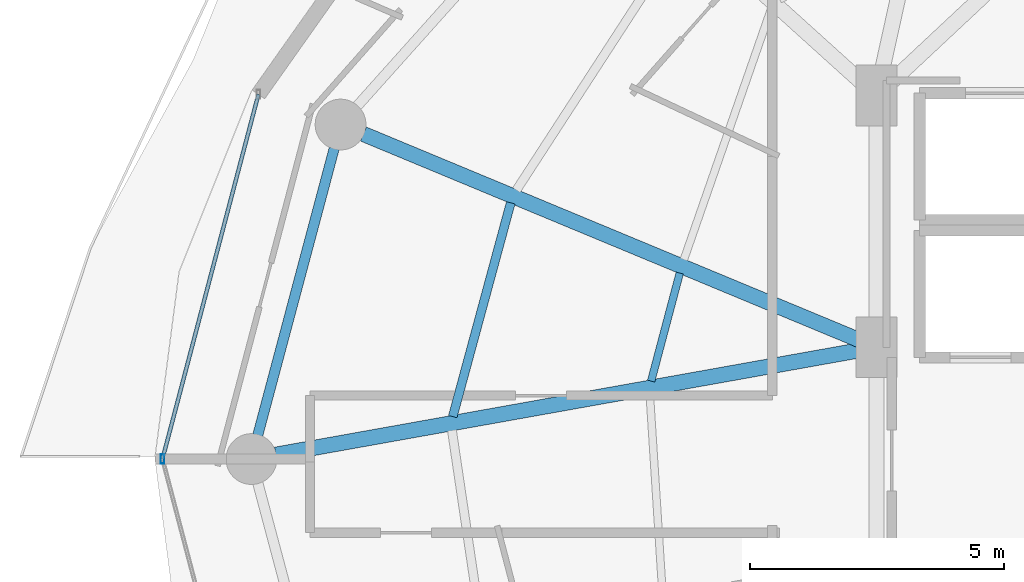
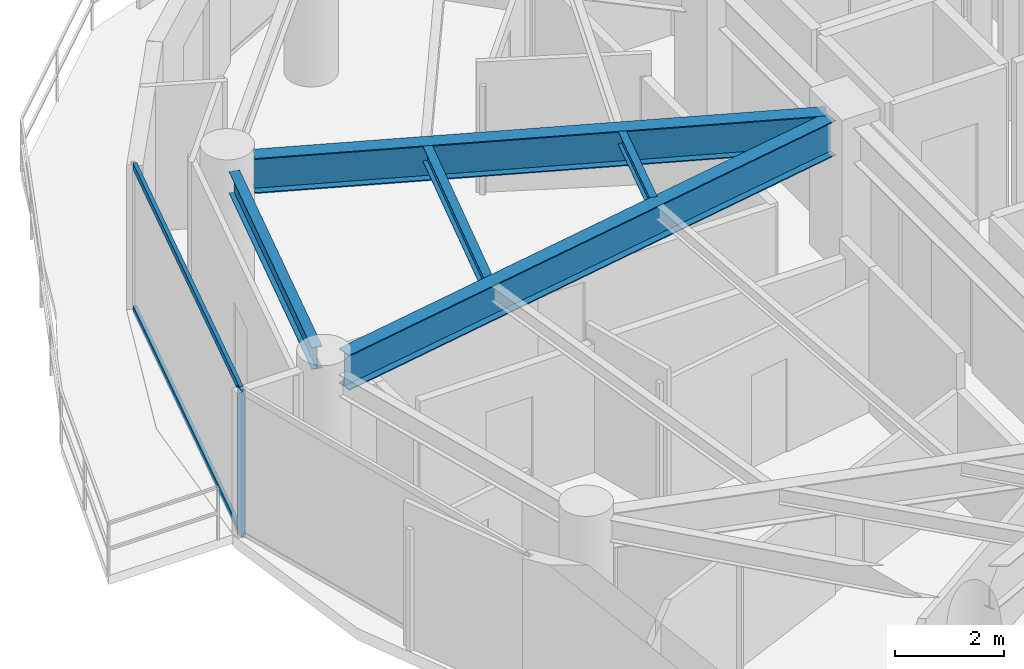
# One storey, part 8 of 31: 5 beams, 3 members, 1 element without a shape of its own.
"""IFC4 building model written with IfcOpenShell, lengths in metres."""

from ifc_helpers import new_model, si_unit, direction, frame, origin, origin_2d, place, context, subcontext, project, spatial, hollow_rectangle, i_section, extrude, material, material_profile, profile_set, type_object, element, aggregate, save


model = new_model("IFC4")

# Units and contexts
model_context = context("Model", 3, precision=1e-05, world=origin(), true_north=direction((0.0, 1.0)))
body_context = subcontext(model_context, "Body", "Model", "MODEL_VIEW")
ifc_project = project(units=[si_unit("LENGTHUNIT", "METRE"), si_unit("AREAUNIT", "SQUARE_METRE"), si_unit("VOLUMEUNIT", "CUBIC_METRE"), si_unit("PLANEANGLEUNIT", "RADIAN"), si_unit("MASSUNIT", "GRAM", prefix="KILO")], contexts=[model_context])

# Site, building, storey
site_placement = place(None, origin())
site = spatial("IfcSite", under=ifc_project, at=site_placement, CompositionType="ELEMENT")
building_placement = place(site_placement, origin())
building = spatial("IfcBuilding", under=site, at=building_placement, Name="Vorneva Point Tower", CompositionType="ELEMENT")
storey_placement = place(building_placement, frame((0.0, 0.0, 136.10009765625)))
storey = spatial("IfcBuildingStorey", under=building, at=storey_placement, Name="L36", CompositionType="ELEMENT", Elevation=136.10009765625)

# Beams
ifc_material_1 = material(Name="Steel S355", Category="steel")
ifc_material_profile_1 = material_profile(ifc_material_1, i_section(OverallWidth=0.300048828125, OverallDepth=0.7880859375, WebThickness=0.014404296875, FlangeThickness=0.02197265625, at=origin_2d()), Name="80Sh1")
ifc_profile_set_1 = profile_set([ifc_material_profile_1], Name="Steel S355")
beam_type_1 = type_object("IfcBeamType", Name="BM-GRD-80Sh1", PredefinedType="USERDEFINED", material=ifc_profile_set_1)
beam_1_placement = place(storey_placement, frame((17.1552734375, 32.39501953125, 2.845947265625), z_axis=(0.923440676596, -0.383741210723, 0.0), x_axis=(0.383741210723, 0.923440676596, 0.0)))
element("IfcBeam", 1, at=beam_1_placement, inside=storey, type_object=beam_type_1, Name="L36 Radial Primary Girder 08", ObjectType="GIRDER", PredefinedType="USERDEFINED", context=body_context, shape_type="SweptSolid", body=[
    extrude(i_section(OverallWidth=0.300048828125, OverallDepth=0.7880859375, WebThickness=0.014404296875, FlangeThickness=0.02197265625, at=origin_2d()), origin(), (0.0, 0.0, 1.0), 10.591552734375),
])
beam_2_placement = place(storey_placement, frame((15.430419921875, 26.0859375, 2.845947265625), z_axis=(0.984378132756, 0.176067293249, 0.0), x_axis=(-0.176067293249, 0.984378132756, 0.0)))
element("IfcBeam", 2, at=beam_2_placement, inside=storey, type_object=beam_type_1, Name="L36 Radial Primary Girder 09", ObjectType="GIRDER", PredefinedType="USERDEFINED", context=body_context, shape_type="SweptSolid", body=[
    extrude(i_section(OverallWidth=0.300048828125, OverallDepth=0.7880859375, WebThickness=0.014404296875, FlangeThickness=0.02197265625, at=origin_2d()), origin(), (0.0, 0.0, 1.0), 11.667236328125),
])
ifc_material_profile_2 = material_profile(ifc_material_1, i_section(OverallWidth=0.14892578125, OverallDepth=0.298095703125, WebThickness=0.005615234375, FlangeThickness=0.008056640625, at=origin_2d()), Name="30B1")
ifc_profile_set_2 = profile_set([ifc_material_profile_2], Name="Steel S355")
beam_type_2 = type_object("IfcBeamType", Name="BM-JST-30B1", PredefinedType="JOIST", material=ifc_profile_set_2)
beam_3_placement = place(storey_placement, frame((23.379638671875, 29.660400390625, 3.0908203125), z_axis=(-0.25614268373, -0.966638984095, 0.0), x_axis=(0.966638984095, -0.25614268373, 0.0)))
element("IfcBeam", 3, at=beam_3_placement, inside=storey, type_object=beam_type_2, Name="L36 Secondary Floor Beam 2.08", PredefinedType="JOIST", context=body_context, shape_type="SweptSolid", body=[
    extrude(i_section(OverallWidth=0.14892578125, OverallDepth=0.298095703125, WebThickness=0.005615234375, FlangeThickness=0.008056640625, at=origin_2d()), origin(), (0.0, 0.0, 1.0), 2.199951171875),
])
ifc_material_profile_3 = material_profile(ifc_material_1, i_section(OverallWidth=0.174072265625, OverallDepth=0.345947265625, WebThickness=0.006103515625, FlangeThickness=0.009033203125, at=origin_2d()), Name="35B1")
ifc_profile_set_3 = profile_set([ifc_material_profile_3], Name="Steel S355")
beam_type_3 = type_object("IfcBeamType", Name="BM-SEC-35B1", PredefinedType="BEAM", material=ifc_profile_set_3)
beam_4_placement = place(storey_placement, frame((20.05322265625, 31.04248046875, 3.06689453125), z_axis=(-0.261766569984, -0.965131215348, 0.0), x_axis=(0.965131215348, -0.261766569984, 0.0)))
element("IfcBeam", 4, at=beam_4_placement, inside=storey, type_object=beam_type_3, Name="L36 Secondary Floor Beam 1.08", PredefinedType="BEAM", context=body_context, shape_type="SweptSolid", body=[
    extrude(i_section(OverallWidth=0.174072265625, OverallDepth=0.345947265625, WebThickness=0.006103515625, FlangeThickness=0.009033203125, at=origin_2d()), origin(), (0.0, 0.0, 1.0), 4.359375),
])
ifc_material_profile_4 = material_profile(ifc_material_1, i_section(OverallWidth=0.199951171875, OverallDepth=0.491943359375, WebThickness=0.0087890625, FlangeThickness=0.011962890625, at=origin_2d()), Name="50B1")
ifc_profile_set_4 = profile_set([ifc_material_profile_4], Name="Steel S355")
beam_type_4 = type_object("IfcBeamType", Name="BM-SPN-50B1", PredefinedType="SPANDREL", material=ifc_profile_set_4)
beam_5_placement = place(storey_placement, frame((16.57958984375, 32.113525390625, 2.993896484375), z_axis=(-0.257550804648, -0.966264758245, 0.0), x_axis=(0.966264758245, -0.257550804648, 0.0)))
element("IfcBeam", 5, at=beam_5_placement, inside=storey, type_object=beam_type_4, Name="L36 Perimeter Spandrel Ring Beam 08", PredefinedType="SPANDREL", context=body_context, shape_type="SweptSolid", body=[
    extrude(i_section(OverallWidth=0.199951171875, OverallDepth=0.491943359375, WebThickness=0.0087890625, FlangeThickness=0.011962890625, at=origin_2d()), origin(), (0.0, 0.0, 1.0), 5.842041015625),
])

# Curtain wall, members
ifc_material_2 = material(Name="Pale anodised aluminium", Category="aluminium")
curtain_wall_type = type_object("IfcCurtainWallType", Name="CW-RES-SYS", PredefinedType="NOTDEFINED", material=ifc_material_2)
curtain_wall_placement = place(storey_placement, origin())
curtain_wall = element("IfcCurtainWall", 6, at=curtain_wall_placement, inside=storey, type_object=curtain_wall_type, Name="L36 Unitised Curtain Wall CW-L36-R03", PredefinedType="NOTDEFINED")
ifc_material_profile_5 = material_profile(ifc_material_2, hollow_rectangle(XDim=0.074951171875, YDim=0.179931640625, WallThickness=0.00390625, at=origin_2d()), Name="AL-MUL 180x75x4")
ifc_profile_set_5 = profile_set([ifc_material_profile_5], Name="Pale anodised aluminium")
member_type_1 = type_object("IfcMemberType", Name="CW-MUL-180", PredefinedType="MULLION", material=ifc_profile_set_5)
member_1_placement = place(storey_placement, frame((13.199951171875, 26.0, -0.0400390625), z_axis=(0.0, 0.0, 1.0), x_axis=(1.0, 0.0, 0.0)))
member_1 = element("IfcMember", 7, at=member_1_placement, type_object=member_type_1, Name="CW-L36-R03 Mullion 02", PredefinedType="MULLION", context=body_context, shape_type="SweptSolid", body=[
    extrude(hollow_rectangle(XDim=0.074951171875, YDim=0.179931640625, WallThickness=0.00390625, at=origin_2d()), origin(), (0.0, 0.0, 1.0), 3.31005859375),
])
ifc_material_profile_6 = material_profile(ifc_material_2, hollow_rectangle(XDim=0.074951171875, YDim=0.14990234375, WallThickness=0.00390625, at=origin_2d()), Name="AL-TRN 150x75x4")
ifc_profile_set_6 = profile_set([ifc_material_profile_6], Name="Pale anodised aluminium")
member_type_2 = type_object("IfcMemberType", Name="CW-TRN-150", PredefinedType="USERDEFINED", material=ifc_profile_set_6)
member_2_placement = place(storey_placement, frame((15.087890625, 33.17529296875, 0.02001953125), z_axis=(-0.254456046293, -0.967084339913, 0.0), x_axis=(0.967084339913, -0.254456046293, 0.0)))
member_2 = element("IfcMember", 8, at=member_2_placement, type_object=member_type_2, Name="CW-L36-R03 Transom 01.1", ObjectType="TRANSOM", PredefinedType="USERDEFINED", context=body_context, shape_type="SweptSolid", body=[
    extrude(hollow_rectangle(XDim=0.074951171875, YDim=0.14990234375, WallThickness=0.00390625, at=origin_2d()), origin(), (0.0, 0.0, 1.0), 7.41943359375),
])
member_3_placement = place(storey_placement, frame((15.087890625, 33.17529296875, 3.219970703125), z_axis=(-0.254456046293, -0.967084339913, 0.0), x_axis=(0.967084339913, -0.254456046293, 0.0)))
member_3 = element("IfcMember", 9, at=member_3_placement, type_object=member_type_2, Name="CW-L36-R03 Transom 01.2", ObjectType="TRANSOM", PredefinedType="USERDEFINED", context=body_context, shape_type="SweptSolid", body=[
    extrude(hollow_rectangle(XDim=0.074951171875, YDim=0.14990234375, WallThickness=0.00390625, at=origin_2d()), origin(), (0.0, 0.0, 1.0), 7.41943359375),
])
aggregate(curtain_wall, [member_1, member_2, member_3])

save(model, "model.ifc")
